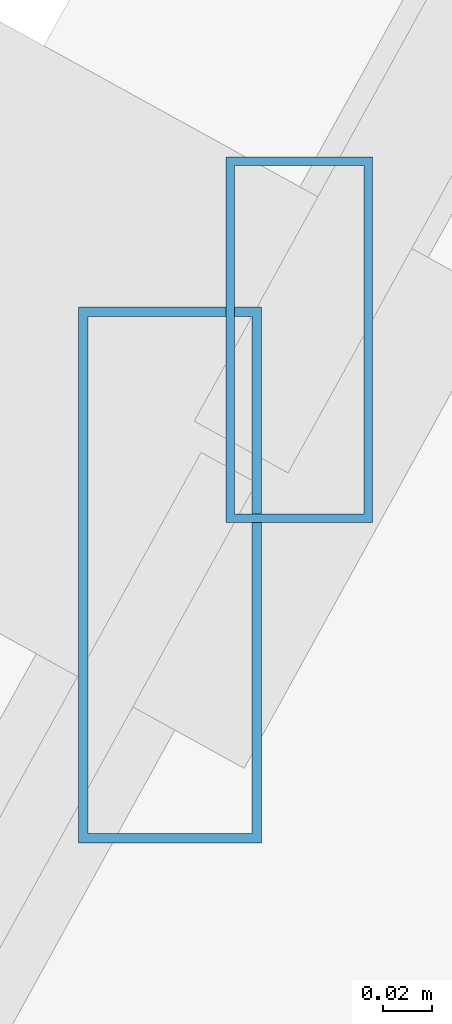
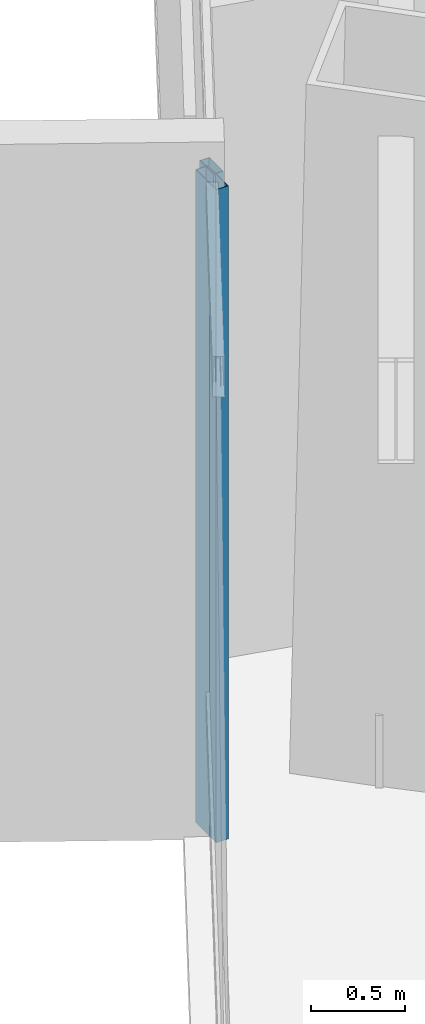
# One storey, part 11 of 37: 2 members, 2 elements without a shape of their own.
"""IFC4 building model written with IfcOpenShell, lengths in metres."""

from ifc_helpers import new_model, si_unit, direction, frame, origin, origin_2d, place, context, subcontext, project, spatial, hollow_rectangle, extrude, source, transform, mapped, material, material_profile, profile_set, type_object, type_shapes, element, aggregate, save


model = new_model("IFC4")

# Units and contexts
model_context = context("Model", 3, precision=1e-05, world=origin(), true_north=direction((0.0, 1.0)))
body_context = subcontext(model_context, "Body", "Model", "MODEL_VIEW")
ifc_project = project(units=[si_unit("LENGTHUNIT", "METRE"), si_unit("AREAUNIT", "SQUARE_METRE"), si_unit("VOLUMEUNIT", "CUBIC_METRE"), si_unit("PLANEANGLEUNIT", "RADIAN"), si_unit("MASSUNIT", "GRAM", prefix="KILO")], contexts=[model_context])

# Site, building, storey
site_placement = place(None, origin())
site = spatial("IfcSite", under=ifc_project, at=site_placement, CompositionType="ELEMENT")
building_placement = place(site_placement, origin())
building = spatial("IfcBuilding", under=site, at=building_placement, Name="Caelisora Broadcast Tower", CompositionType="ELEMENT")
storey_placement = place(building_placement, frame((0.0, 0.0, 225.35009765625)))
storey = spatial("IfcBuildingStorey", under=building, at=storey_placement, Name="L59", CompositionType="ELEMENT", Elevation=225.35009765625)

# Curtain wall, member
ifc_material_1 = material(Name="Unitised Aluminium and Low-E Glass Curtain Wall", Category="glass")
curtain_wall_type_1 = type_object("IfcCurtainWallType", Name="CW-SKY", PredefinedType="NOTDEFINED", material=ifc_material_1)
curtain_wall_1_placement = place(storey_placement, origin())
curtain_wall_1 = element("IfcCurtainWall", 1, at=curtain_wall_1_placement, inside=storey, type_object=curtain_wall_type_1, Name="L59 curtain wall CW-SKY", PredefinedType="NOTDEFINED")
ifc_material_2 = material(Name="Aluminium 6063-T6 Anodised Terracotta Bronze", Category="aluminium")
ifc_material_profile_1 = material_profile(ifc_material_2, hollow_rectangle(XDim=0.074951171875, YDim=0.219970703125, WallThickness=0.00390625, at=origin_2d()), Name="Aluminium 6063-T6 Anodised Terracotta Bronze")
ifc_profile_set_1 = profile_set([ifc_material_profile_1], Name="Aluminium 6063-T6 Anodised Terracotta Bronze")
member_type_1 = type_object("IfcMemberType", Name="CWM-01", PredefinedType="MULLION", material=ifc_profile_set_1)
shared_shape_1 = source(origin(), body_context, "Body", "SweptSolid", [
    extrude(hollow_rectangle(XDim=0.074951171875, YDim=0.219970703125, WallThickness=0.00390625, at=origin_2d()), origin(), (0.0, 0.0, 1.0), 4.25),
])
type_shapes(member_type_1, [shared_shape_1])
member_1_placement = place(storey_placement, frame((20.69873046875, 26.381591796875, 0.0), z_axis=(0.0, 0.0, 1.0), x_axis=(1.0, 0.0, 0.0)))
member_1 = element("IfcMember", 2, at=member_1_placement, type_object=member_type_1, Name="L59-CW-B09 mullion #3", PredefinedType="MULLION", context=body_context, shape_type="MappedRepresentation", body=[
    mapped(shared_shape_1, transform((0.0, 0.0, 0.0), scale=1.0)),
])
aggregate(curtain_wall_1, [member_1])

ifc_material_3 = material(Name="Unitised Aluminium Insulated Shadow-Box Spandrel Curtain Wall", Category="aluminium")
curtain_wall_type_2 = type_object("IfcCurtainWallType", Name="CW-SP2", PredefinedType="NOTDEFINED", material=ifc_material_3)
curtain_wall_2_placement = place(storey_placement, origin())
curtain_wall_2 = element("IfcCurtainWall", 3, at=curtain_wall_2_placement, inside=storey, type_object=curtain_wall_type_2, Name="L59 curtain wall CW-SP2", PredefinedType="NOTDEFINED")
ifc_material_profile_2 = material_profile(ifc_material_2, hollow_rectangle(XDim=0.06005859375, YDim=0.14990234375, WallThickness=0.00341796875, at=origin_2d()), Name="Aluminium 6063-T6 Anodised Terracotta Bronze")
ifc_profile_set_2 = profile_set([ifc_material_profile_2], Name="Aluminium 6063-T6 Anodised Terracotta Bronze")
member_type_2 = type_object("IfcMemberType", Name="CWM-03", PredefinedType="MULLION", material=ifc_profile_set_2)
shared_shape_2 = source(origin(), body_context, "Body", "SweptSolid", [
    extrude(hollow_rectangle(XDim=0.06005859375, YDim=0.14990234375, WallThickness=0.00341796875, at=origin_2d()), origin(), (0.0, 0.0, 1.0), 4.25),
])
type_shapes(member_type_2, [shared_shape_2])
member_2_placement = place(storey_placement, frame((20.751708984375, 26.47802734375, 0.0), z_axis=(0.0, 0.0, 1.0), x_axis=(1.0, 0.0, 0.0)))
member_2 = element("IfcMember", 4, at=member_2_placement, type_object=member_type_2, Name="L59-CW-B10 mullion #0", PredefinedType="MULLION", context=body_context, shape_type="MappedRepresentation", body=[
    mapped(shared_shape_2, transform((0.0, 0.0, 0.0), scale=1.0)),
])
aggregate(curtain_wall_2, [member_2])

save(model, "model.ifc")
